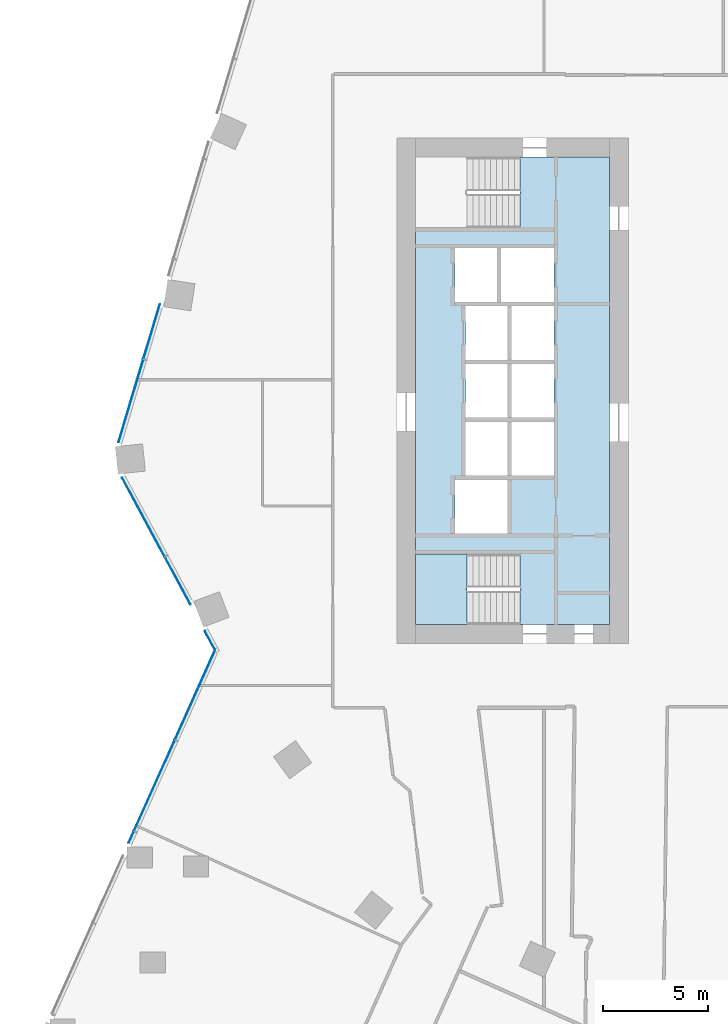
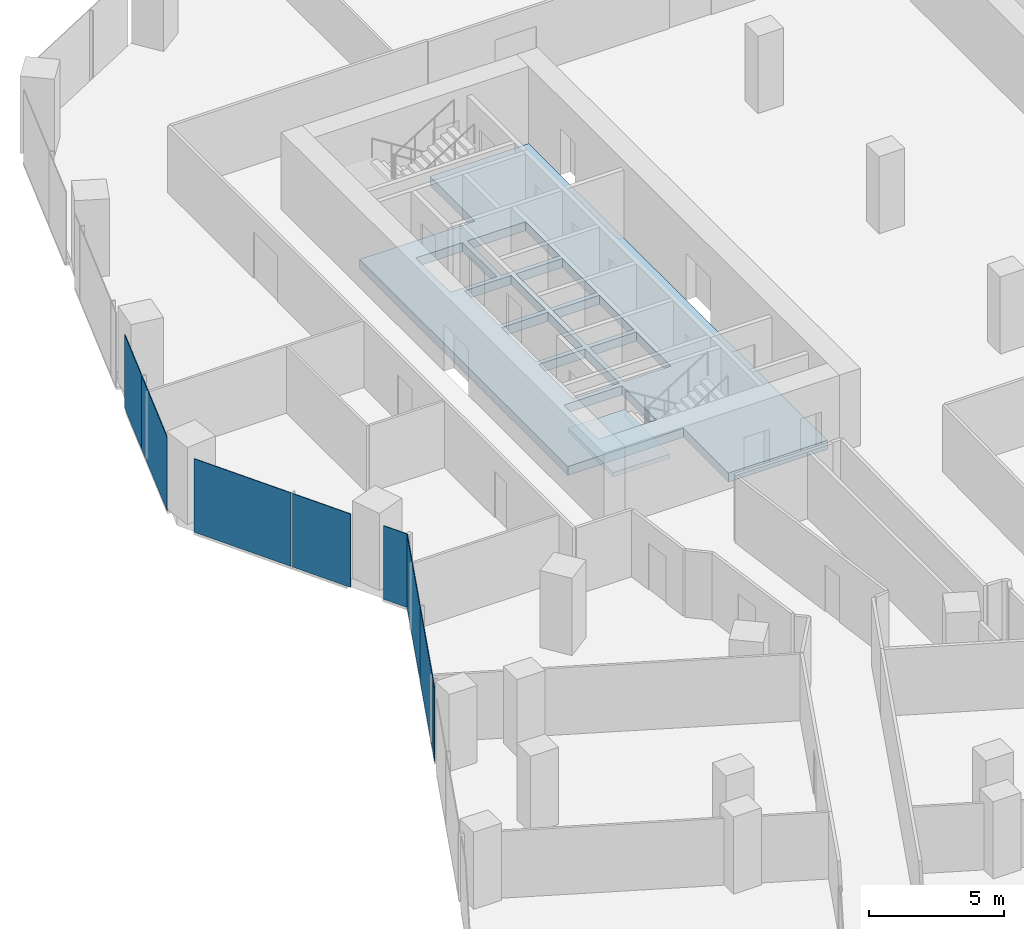
# One storey, part 19 of 34: 8 plates, 2 slabs, 4 elements without a shape of their own.
"""IFC4 building model written with IfcOpenShell, lengths in metres."""

import ifcopenshell
import ifcopenshell.guid

model = None  # the IFC model being written
_history = None  # IfcOwnerHistory: only IFC2X3 demands one
_inside = {}  # id of a spatial element -> (the spatial element, [elements in it])
_under = {}  # id of a project, library or spatial element -> (it, [spatial elements below it])
_declared = {}  # id of a project -> (the project, [libraries it declares])
_typed = {}  # id of a type object -> (the type object, [elements of that type])
_made_of = {}  # id of a material, layer set ... -> (it, [elements and type objects made of it])


def new_model(schema):
    """Start an empty IFC model of exactly this schema.

    Asked for "IFC4X3", IfcOpenShell would pick the latest addendum, in which some entities
    have other attributes; the version numbers below select the first issue.
    IFC2X3 requires an IfcOwnerHistory on every rooted entity: one is made here for all.
    """
    global model, _history
    if schema == "IFC4X3":
        model = ifcopenshell.file(schema_version=(4, 3, 0, 0))
    else:
        model = ifcopenshell.file(schema=schema)
    _inside.clear()
    _under.clear()
    _declared.clear()
    _typed.clear()
    _made_of.clear()
    _history = None
    if model.schema == "IFC2X3":
        org = make("IfcOrganization", Name="unknown")
        user = make(
            "IfcPersonAndOrganization",
            ThePerson=make("IfcPerson", FamilyName="unknown"),
            TheOrganization=org,
        )
        app = make(
            "IfcApplication",
            ApplicationDeveloper=org,
            Version="unknown",
            ApplicationFullName="unknown",
            ApplicationIdentifier="unknown",
        )
        _history = make(
            "IfcOwnerHistory",
            OwningUser=user,
            OwningApplication=app,
            ChangeAction="ADDED",
            CreationDate=0,
        )
    return model


def make(cls, **values):
    """One entity of the class cls with the attributes given. An attribute that is None is left unset."""
    return model.create_entity(
        cls, **{name: value for name, value in values.items() if value is not None}
    )


def rooted(cls, **values):
    """An entity with a GlobalId (a new one), such as an element, a storey or a relation."""
    return make(cls, GlobalId=ifcopenshell.guid.new(), OwnerHistory=_history, **values)


def si_unit(unit_type, name, prefix=None):
    """IfcSIUnit, for example si_unit("LENGTHUNIT", "METRE", prefix="MILLI")."""
    return make("IfcSIUnit", UnitType=unit_type, Prefix=prefix, Name=name)


def assignment(units):
    """IfcUnitAssignment: the units of a project."""
    return None if units is None else make("IfcUnitAssignment", Units=units)


def point(xyz):
    """IfcCartesianPoint."""
    return None if xyz is None else make("IfcCartesianPoint", Coordinates=xyz)


def direction(xyz):
    """IfcDirection."""
    return None if xyz is None else make("IfcDirection", DirectionRatios=xyz)


def frame(location, z_axis=None, x_axis=None):
    """IfcAxis2Placement3D, a coordinate frame: its origin and axes. An axis left out is left unset."""
    return make(
        "IfcAxis2Placement3D",
        Location=point(location),
        Axis=direction(z_axis),
        RefDirection=direction(x_axis),
    )


def frame_2d(location, x_axis=None):
    """IfcAxis2Placement2D, a coordinate frame in the plane: its origin and x axis."""
    return make(
        "IfcAxis2Placement2D", Location=point(location), RefDirection=direction(x_axis)
    )


def origin():
    """The frame at (0, 0, 0) with its axes left unset."""
    return frame((0.0, 0.0, 0.0))


def origin_2d():
    """The frame at (0, 0) in the plane with its x axis left unset."""
    return frame_2d((0.0, 0.0))


def place(relative_to, where):
    """IfcLocalPlacement: puts the frame where relative to a parent placement (None: the world)."""
    return make(
        "IfcLocalPlacement", PlacementRelTo=relative_to, RelativePlacement=where
    )


def context(
    kind, dimensions, precision=None, world=None, true_north=None, identifier=None
):
    """IfcGeometricRepresentationContext, for example the 3D "Model" context."""
    return make(
        "IfcGeometricRepresentationContext",
        ContextIdentifier=identifier,
        ContextType=kind,
        CoordinateSpaceDimension=dimensions,
        Precision=precision,
        WorldCoordinateSystem=world,
        TrueNorth=true_north,
    )


def subcontext(parent, identifier, kind, view, scale=None):
    """IfcGeometricRepresentationSubContext, for example "Body" below "Model"."""
    return make(
        "IfcGeometricRepresentationSubContext",
        ContextIdentifier=identifier,
        ContextType=kind,
        ParentContext=parent,
        TargetScale=scale,
        TargetView=view,
    )


def project(units=None, contexts=None):
    """IfcProject with its units and contexts."""
    return rooted(
        "IfcProject",
        Name="project",
        RepresentationContexts=contexts,
        UnitsInContext=assignment(units),
    )


def spatial(cls, under=None, at=None, **own):
    """A site, building, storey or space (cls), placed at a placement, below another one or the project."""
    s = rooted(cls, ObjectPlacement=at, **own)
    if under is not None:
        _under.setdefault(under.id(), (under, []))[1].append(s)
    return s


def polyline(points):
    """IfcPolyline through the points."""
    return make("IfcPolyline", Points=[point(p) for p in points])


def profile(cls, at=None, kind="AREA", **sizes):
    """A parametric profile (cls). Its sizes go by their IFC names, for example OverallWidth=200.0."""
    return make(cls, ProfileType=kind, Position=at, **sizes)


def rectangle(**sizes):
    """IfcRectangleProfileDef."""
    return profile("IfcRectangleProfileDef", **sizes)


def outline(outer, holes=None, kind="AREA"):
    """IfcArbitraryClosedProfileDef: a profile drawn as a closed curve; with holes, ...WithVoids."""
    if holes is None:
        return make("IfcArbitraryClosedProfileDef", ProfileType=kind, OuterCurve=outer)
    return make(
        "IfcArbitraryProfileDefWithVoids",
        ProfileType=kind,
        OuterCurve=outer,
        InnerCurves=holes,
    )


def extrude(swept, where, along, depth):
    """IfcExtrudedAreaSolid: the profile swept, set in the frame where, extruded along a direction by depth."""
    return make(
        "IfcExtrudedAreaSolid",
        SweptArea=swept,
        Position=where,
        ExtrudedDirection=direction(along),
        Depth=depth,
    )


def shape(context_of_items, identifier, shape_type, items):
    """IfcShapeRepresentation: the items that make up one representation, for example the "Body"."""
    return make(
        "IfcShapeRepresentation",
        ContextOfItems=context_of_items,
        RepresentationIdentifier=identifier,
        RepresentationType=shape_type,
        Items=items,
    )


def material(Name=None, Category=None):
    """IfcMaterial."""
    return make("IfcMaterial", Name=Name, Category=Category)


def layer(
    of_material, thickness, ventilated=None, Name=None, Category=None, Priority=None
):
    """IfcMaterialLayer: one layer of a wall or slab, of a material (None: an air gap)."""
    return make(
        "IfcMaterialLayer",
        Material=of_material,
        LayerThickness=thickness,
        IsVentilated=ventilated,
        Name=Name,
        Category=Category,
        Priority=Priority,
    )


def layer_set(layers, Name=None):
    """IfcMaterialLayerSet."""
    return make("IfcMaterialLayerSet", MaterialLayers=layers, LayerSetName=Name)


def made_of(thing, what):
    """Note that an element or type object is made of a material, layer set ...; save() writes the relation."""
    if what is not None:
        _made_of.setdefault(what.id(), (what, []))[1].append(thing)
    return thing


def type_object(cls, material=None, **own):
    """A type object (cls), such as IfcWallType, which elements share."""
    return made_of(rooted(cls, **own), material)


def element(
    cls,
    number,
    at=None,
    inside=None,
    cuts=None,
    type_object=None,
    material=None,
    context=None,
    identifier="Body",
    shape_type=None,
    held_by="IfcProductDefinitionShape",
    body=None,
    shapes=None,
    **own,
):
    """One element of the class cls, such as IfcWall. Its Tag is "e" and its number.

    at: its placement. inside: the storey or other place that contains it. cuts: it is an
    opening in that element (IfcRelVoidsElement). A single representation is given by context,
    identifier, shape_type and body (its items); several are given by shapes. held_by: the class
    of the entity that holds the representations. save() writes the other relations.
    """
    e = rooted(cls, Tag="e%d" % number, ObjectPlacement=at, **own)
    if body is not None:
        shapes = [shape(context, identifier, shape_type, body)]
    if shapes is not None:
        e.Representation = make(held_by, Representations=shapes)
    if inside is not None:
        _inside.setdefault(inside.id(), (inside, []))[1].append(e)
    if cuts is not None:
        rooted(
            "IfcRelVoidsElement", RelatingBuildingElement=cuts, RelatedOpeningElement=e
        )
    if type_object is not None:
        _typed.setdefault(type_object.id(), (type_object, []))[1].append(e)
    return made_of(e, material)


def aggregate(whole, parts):
    """IfcRelAggregates: a whole, such as a stair, and the parts it consists of."""
    return rooted("IfcRelAggregates", RelatingObject=whole, RelatedObjects=parts)


def save(model, path):
    """Write the relations noted so far, then the file.

    IfcRelAggregates (storeys below a building ...), IfcRelContainedInSpatialStructure (elements
    in a storey), IfcRelDefinesByType, IfcRelAssociatesMaterial and IfcRelDeclares: one each for
    every whole, place, type object, material and project.
    """
    for whole, parts in _under.values():
        aggregate(whole, parts)
    for where, things in _inside.values():
        rooted(
            "IfcRelContainedInSpatialStructure",
            RelatedElements=things,
            RelatingStructure=where,
        )
    for kind, things in _typed.values():
        rooted("IfcRelDefinesByType", RelatedObjects=things, RelatingType=kind)
    for what, things in _made_of.values():
        rooted("IfcRelAssociatesMaterial", RelatedObjects=things, RelatingMaterial=what)
    for by, libraries in _declared.values():
        rooted("IfcRelDeclares", RelatingContext=by, RelatedDefinitions=libraries)
    model.write(path)


model = new_model("IFC4")

# Units and contexts
model_context = context("Model", 3, precision=1e-05, world=origin(), true_north=direction((0.0, 1.0)))
body_context = subcontext(model_context, "Body", "Model", "MODEL_VIEW")
ifc_project = project(units=[si_unit("LENGTHUNIT", "METRE"), si_unit("AREAUNIT", "SQUARE_METRE"), si_unit("VOLUMEUNIT", "CUBIC_METRE"), si_unit("PLANEANGLEUNIT", "RADIAN"), si_unit("MASSUNIT", "GRAM", prefix="KILO")], contexts=[model_context])

# Site, building, storey
site_placement = place(None, origin())
site = spatial("IfcSite", under=ifc_project, at=site_placement, CompositionType="ELEMENT")
building_placement = place(site_placement, origin())
building = spatial("IfcBuilding", under=site, at=building_placement, Name="Orlundy Tower", CompositionType="ELEMENT")
storey_placement = place(building_placement, frame((0.0, 0.0, 134.199951171875)))
storey = spatial("IfcBuildingStorey", under=building, at=storey_placement, Name="L34", CompositionType="ELEMENT", Elevation=134.199951171875)

# Curtain wall, plates
ifc_material_1 = material(Name="Aluminium bronze anodised", Category="aluminium")
curtain_wall_type = type_object("IfcCurtainWallType", Name="CW1 wall", PredefinedType="NOTDEFINED", material=ifc_material_1)
curtain_wall_1_placement = place(storey_placement, origin())
curtain_wall_1 = element("IfcCurtainWall", 1, at=curtain_wall_1_placement, inside=storey, type_object=curtain_wall_type, Name="CW1 run 00", PredefinedType="NOTDEFINED")
ifc_material_2 = material(Name="Tinted glass", Category="glass")
ifc_layer_1 = layer(ifc_material_2, 0.031982421875)
ifc_layer_set_1 = layer_set([ifc_layer_1], Name="CW1 glass panel 32")
plate_type = type_object("IfcPlateType", Name="CW1 glass panel 32", PredefinedType="CURTAIN_PANEL", material=ifc_layer_set_1)
plate_1_placement = place(storey_placement, frame((-31.61572265625, -21.204833984375, -0.280029296875), z_axis=(0.0, 0.0, 1.0), x_axis=(0.409404071174, 0.912353169834, 0.0)))
plate_1 = element("IfcPlate", 2, at=plate_1_placement, type_object=plate_type, Name="CW1 panel", PredefinedType="CURTAIN_PANEL", context=body_context, shape_type="SweptSolid", body=[
    extrude(rectangle(XDim=0.572509765625, YDim=0.031982421875, at=origin_2d()), origin(), (0.0, 0.0, 1.0), 3.330078125),
])
plate_2_placement = place(storey_placement, frame((-30.514892578125, -18.751708984375, -0.280029296875), z_axis=(0.0, 0.0, 1.0), x_axis=(0.409404071174, 0.912353169834, 0.0)))
plate_2 = element("IfcPlate", 3, at=plate_2_placement, type_object=plate_type, Name="CW1 panel", PredefinedType="CURTAIN_PANEL", context=body_context, shape_type="SweptSolid", body=[
    extrude(rectangle(XDim=4.705322265625, YDim=0.031982421875, at=origin_2d()), origin(), (0.0, 0.0, 1.0), 3.330078125),
])
plate_3_placement = place(storey_placement, frame((-28.57958984375, -14.438720703125, -0.280029296875), z_axis=(0.0, 0.0, 1.0), x_axis=(0.409404071174, 0.912353169834, 0.0)))
plate_3 = element("IfcPlate", 4, at=plate_3_placement, type_object=plate_type, Name="CW1 panel", PredefinedType="CURTAIN_PANEL", context=body_context, shape_type="SweptSolid", body=[
    extrude(rectangle(XDim=4.6494140625, YDim=0.031982421875, at=origin_2d()), origin(), (0.0, 0.0, 1.0), 3.330078125),
])
aggregate(curtain_wall_1, [plate_1, plate_2, plate_3])

curtain_wall_2_placement = place(storey_placement, origin())
curtain_wall_2 = element("IfcCurtainWall", 5, at=curtain_wall_2_placement, inside=storey, type_object=curtain_wall_type, Name="CW1 run 01", PredefinedType="NOTDEFINED")
plate_4_placement = place(storey_placement, frame((-27.873779296875, -11.861328125, -0.280029296875), z_axis=(0.0, 0.0, 1.0), x_axis=(-0.4746239814, 0.880188659482, 0.0)))
plate_4 = element("IfcPlate", 6, at=plate_4_placement, type_object=plate_type, Name="CW1 panel", PredefinedType="CURTAIN_PANEL", context=body_context, shape_type="SweptSolid", body=[
    extrude(rectangle(XDim=1.03662109375, YDim=0.031982421875, at=origin_2d()), origin(), (0.0, 0.0, 1.0), 3.330078125),
])
plate_5_placement = place(storey_placement, frame((-29.40283203125, -9.02587890625, -0.280029296875), z_axis=(0.0, 0.0, 1.0), x_axis=(-0.4746239814, 0.880188659482, 0.0)))
plate_5 = element("IfcPlate", 7, at=plate_5_placement, type_object=plate_type, Name="CW1 panel", PredefinedType="CURTAIN_PANEL", context=body_context, shape_type="SweptSolid", body=[
    extrude(rectangle(XDim=2.54638671875, YDim=0.031982421875, at=origin_2d()), origin(), (0.0, 0.0, 1.0), 3.330078125),
])
plate_6_placement = place(storey_placement, frame((-31.037353515625, -5.99462890625, -0.280029296875), z_axis=(0.0, 0.0, 1.0), x_axis=(-0.4746239814, 0.880188659482, 0.0)))
plate_6 = element("IfcPlate", 8, at=plate_6_placement, type_object=plate_type, Name="CW1 panel", PredefinedType="CURTAIN_PANEL", context=body_context, shape_type="SweptSolid", body=[
    extrude(rectangle(XDim=4.24169921875, YDim=0.031982421875, at=origin_2d()), origin(), (0.0, 0.0, 1.0), 3.330078125),
])
aggregate(curtain_wall_2, [plate_4, plate_5, plate_6])

curtain_wall_3_placement = place(storey_placement, origin())
curtain_wall_3 = element("IfcCurtainWall", 9, at=curtain_wall_3_placement, inside=storey, type_object=curtain_wall_type, Name="CW1 run 02", PredefinedType="NOTDEFINED")
plate_7_placement = place(storey_placement, frame((-31.629638671875, -0.47607421875, -0.280029296875), z_axis=(0.0, 0.0, 1.0), x_axis=(0.286816257107, 0.957985612971, 0.0)))
plate_7 = element("IfcPlate", 10, at=plate_7_placement, type_object=plate_type, Name="CW1 panel", PredefinedType="CURTAIN_PANEL", context=body_context, shape_type="SweptSolid", body=[
    extrude(rectangle(XDim=4.09326171875, YDim=0.031982421875, at=origin_2d()), origin(), (0.0, 0.0, 1.0), 3.330078125),
])
plate_8_placement = place(storey_placement, frame((-30.64208984375, 2.822998046875, -0.280029296875), z_axis=(0.0, 0.0, 1.0), x_axis=(0.286816257107, 0.957985612971, 0.0)))
plate_8 = element("IfcPlate", 11, at=plate_8_placement, type_object=plate_type, Name="CW1 panel", PredefinedType="CURTAIN_PANEL", context=body_context, shape_type="SweptSolid", body=[
    extrude(rectangle(XDim=2.69384765625, YDim=0.031982421875, at=origin_2d()), origin(), (0.0, 0.0, 1.0), 3.330078125),
])
aggregate(curtain_wall_3, [plate_7, plate_8])

# Slab
ifc_material_3 = material(Name="Concrete C50/60", Category="concrete")
ifc_layer_2 = layer(ifc_material_3, 0.409912109375)
ifc_layer_set_2 = layer_set([ifc_layer_2], Name="Core Floor Slab 410")
slab_type_1 = type_object("IfcSlabType", Name="Core Floor Slab 410", PredefinedType="FLOOR", material=ifc_layer_set_2)
slab_1_placement = place(storey_placement, frame((0.0, 0.0, -0.409912109375)))
element("IfcSlab", 12, at=slab_1_placement, inside=storey, type_object=slab_type_1, Name="Core floor W26", PredefinedType="FLOOR", context=body_context, shape_type="SweptSolid", body=[
    extrude(outline(polyline([(-13.14501953125, 7.75), (-13.14501953125, 11.10009765625), (-8.89990234375, 11.10009765625), (-8.89990234375, -11.10009765625), (-13.14501953125, -11.10009765625), (-13.14501953125, -7.75), (-18.10009765625, -7.75), (-18.10009765625, 7.75), (-13.14501953125, 7.75)]), holes=[polyline([(-16.239990234375, -6.77490234375), (-13.739990234375, -6.77490234375), (-13.739990234375, -4.22509765625), (-16.239990234375, -4.22509765625), (-16.239990234375, -6.77490234375)]), polyline([(-13.5400390625, -1.47509765625), (-13.5400390625, -4.02490234375), (-11.5400390625, -4.02490234375), (-11.5400390625, -1.47509765625), (-13.5400390625, -1.47509765625)]), polyline([(-13.739990234375, -1.47509765625), (-15.739990234375, -1.47509765625), (-15.739990234375, -4.02490234375), (-13.739990234375, -4.02490234375), (-13.739990234375, -1.47509765625)]), polyline([(-11.5400390625, -1.27490234375), (-11.5400390625, 1.27490234375), (-13.5400390625, 1.27490234375), (-13.5400390625, -1.27490234375), (-11.5400390625, -1.27490234375)]), polyline([(-15.739990234375, -1.27490234375), (-13.739990234375, -1.27490234375), (-13.739990234375, 1.27490234375), (-15.739990234375, 1.27490234375), (-15.739990234375, -1.27490234375)]), polyline([(-13.5400390625, 4.02490234375), (-13.5400390625, 1.47509765625), (-11.5400390625, 1.47509765625), (-11.5400390625, 4.02490234375), (-13.5400390625, 4.02490234375)]), polyline([(-13.739990234375, 4.02490234375), (-15.739990234375, 4.02490234375), (-15.739990234375, 1.47509765625), (-13.739990234375, 1.47509765625), (-13.739990234375, 4.02490234375)]), polyline([(-11.5400390625, 4.22509765625), (-11.5400390625, 6.77490234375), (-14.0400390625, 6.77490234375), (-14.0400390625, 4.22509765625), (-11.5400390625, 4.22509765625)]), polyline([(-16.239990234375, 4.22509765625), (-14.239990234375, 4.22509765625), (-14.239990234375, 6.77490234375), (-16.239990234375, 6.77490234375), (-16.239990234375, 4.22509765625)])]), origin(), (0.0, 0.0, 1.0), 0.409912109375),
])

# Stair, slab
ifc_material_4 = material(Name="Concrete C50/60", Category="concrete")
stair_type = type_object("IfcStairType", Name="Exit Stair 20 risers", PredefinedType="HALF_TURN_STAIR", material=ifc_material_4)
stair_placement = place(storey_placement, origin())
stair = element("IfcStair", 13, at=stair_placement, inside=storey, type_object=stair_type, Name="L34 Exit Stair ST-W2", PredefinedType="HALF_TURN_STAIR")
ifc_material_5 = material(Name="Concrete C50/60", Category="concrete")
ifc_layer_3 = layer(ifc_material_5, 0.199951171875)
ifc_layer_set_3 = layer_set([ifc_layer_3], Name="Exit Stair Landing")
slab_type_2 = type_object("IfcSlabType", Name="Exit Stair Landing", PredefinedType="LANDING", material=ifc_layer_set_3)
slab_2_placement = place(storey_placement, frame((0.0, 0.0, 1.550048828125)))
slab_2 = element("IfcSlab", 14, at=slab_2_placement, type_object=slab_type_2, Name="ST-W2 landing 1", PredefinedType="LANDING", context=body_context, shape_type="SweptSolid", body=[
    extrude(outline(polyline([(-15.659912109375, -7.75), (-18.10009765625, -7.75), (-18.10009765625, -11.10009765625), (-15.659912109375, -11.10009765625), (-15.659912109375, -7.75)])), origin(), (0.0, 0.0, 1.0), 0.199951171875),
])
aggregate(stair, [slab_2])

save(model, "model.ifc")
